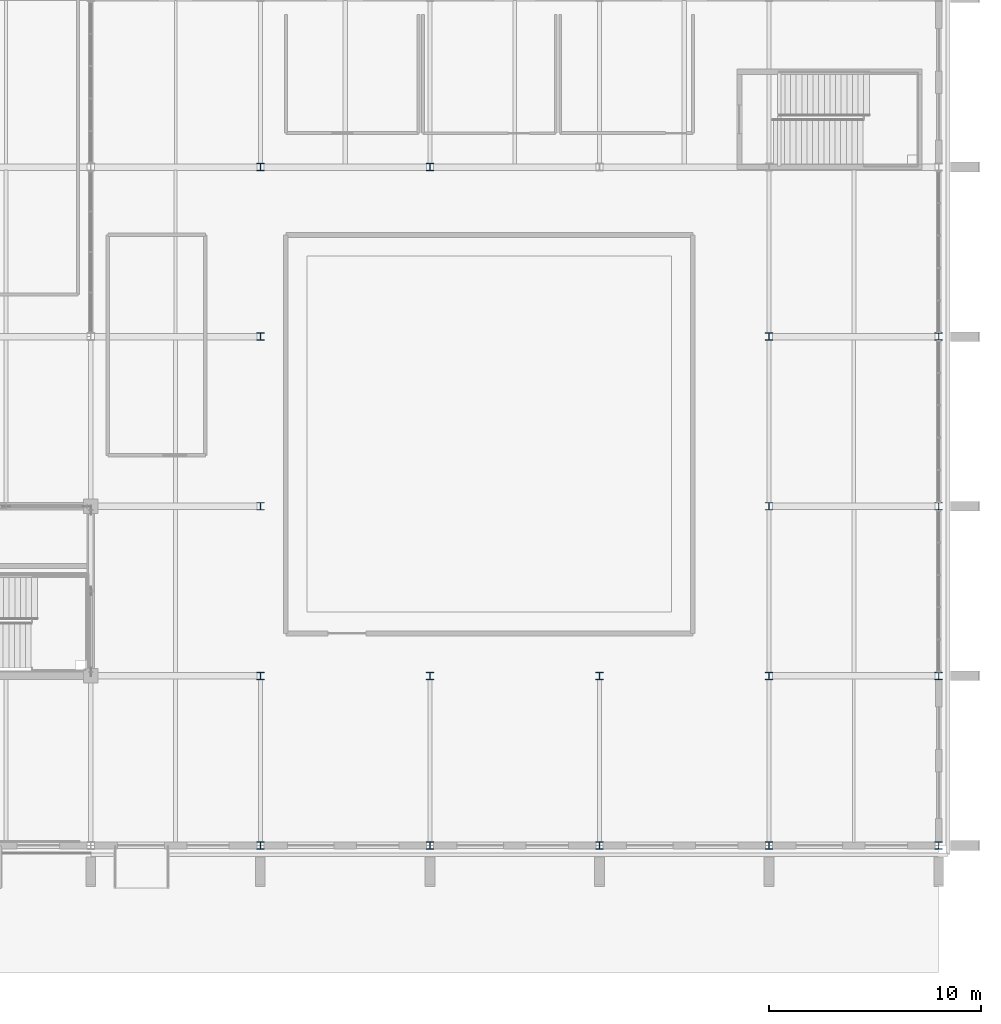
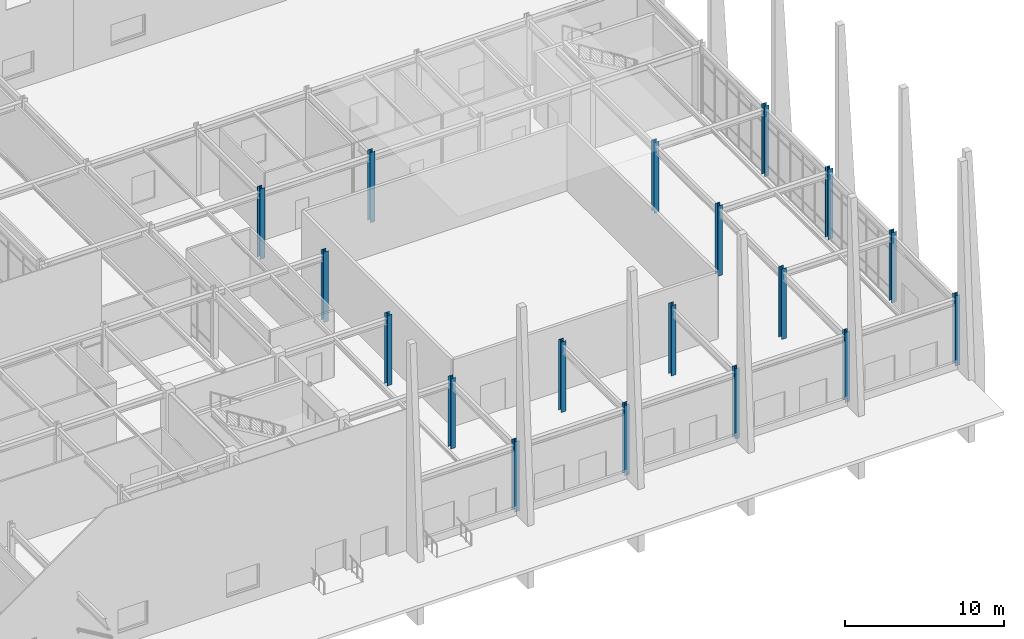
# One storey, part 17 of 119: 18 columns.
"""IFC4 building model written with IfcOpenShell, lengths in metres."""

from ifc_helpers import new_model, si_unit, direction, frame, origin, origin_2d, place, context, subcontext, project, spatial, i_section, extrude, material, material_profile, profile_set, type_object, element, save


model = new_model("IFC4")

# Units and contexts
model_context = context("Model", 3, precision=1e-05, world=origin(), true_north=direction((0.0, 1.0)))
body_context = subcontext(model_context, "Body", "Model", "MODEL_VIEW")
ifc_project = project(units=[si_unit("LENGTHUNIT", "METRE"), si_unit("AREAUNIT", "SQUARE_METRE"), si_unit("VOLUMEUNIT", "CUBIC_METRE"), si_unit("PLANEANGLEUNIT", "RADIAN"), si_unit("MASSUNIT", "GRAM", prefix="KILO")], contexts=[model_context])

# Site, building, storey
site_placement = place(None, origin())
site = spatial("IfcSite", under=ifc_project, at=site_placement, CompositionType="ELEMENT")
building_placement = place(site_placement, origin())
building = spatial("IfcBuilding", under=site, at=building_placement, Name="Zhaolan Boulevard Law Courts", CompositionType="ELEMENT")
storey_placement = place(building_placement, origin())
storey = spatial("IfcBuildingStorey", under=building, at=storey_placement, Name="L00", CompositionType="ELEMENT", Elevation=0.0)

# Columns
ifc_material = material(Name="Structural steel Q355B", Category="steel")
ifc_material_profile = material_profile(ifc_material, i_section(OverallWidth=0.35009765625, OverallDepth=0.35009765625, WebThickness=0.011962890625, FlangeThickness=0.01904296875, FilletRadius=0.02001953125, at=origin_2d()), Name="HW350x350")
ifc_profile_set = profile_set([ifc_material_profile], Name="Structural steel Q355B")
column_type = type_object("IfcColumnType", Name="COL HW350", PredefinedType="COLUMN", material=ifc_profile_set)
for number, where, z_axis, x_axis, name in (
    (1, (132.0, 6.0, 0.0), (0.0, 0.0, 1.0), (1.0, 0.0, 0.0), "Column C-17B (L00)"),
    (2, (132.0, 14.0, 0.0), (0.0, 0.0, 1.0), (1.0, 0.0, 0.0), "Column C-17C (L00)"),
    (3, (132.0, 22.0, 0.0), (0.0, 0.0, 1.0), (1.0, 0.0, 0.0), "Column C-17D (L00)"),
    (4, (132.0, 30.0, 0.0), (0.0, 0.0, 1.0), (1.0, 0.0, 0.0), "Column C-17E (L00)"),
    (5, (132.0, 38.0, 0.0), (0.0, 0.0, 1.0), (1.0, 0.0, 0.0), "Column C-17F (L00)"),
    (6, (140.0, 6.0, 0.0), (0.0, 0.0, 1.0), (1.0, 0.0, 0.0), "Column C-18B (L00)"),
    (7, (140.0, 14.0, 0.0), (0.0, 0.0, 1.0), (1.0, 0.0, 0.0), "Column C-18C (L00)"),
    (8, (140.0, 38.0, 0.0), (0.0, 0.0, 1.0), (1.0, 0.0, 0.0), "Column C-18F (L00)"),
    (9, (148.0, 6.0, 0.0), (0.0, 0.0, 1.0), (1.0, 0.0, 0.0), "Column C-19B (L00)"),
    (10, (148.0, 14.0, 0.0), (0.0, 0.0, 1.0), (1.0, 0.0, 0.0), "Column C-19C (L00)"),
    (11, (156.0, 6.0, 0.0), (0.0, 0.0, 1.0), (1.0, 0.0, 0.0), "Column C-20B (L00)"),
    (12, (156.0, 14.0, 0.0), (0.0, 0.0, 1.0), (1.0, 0.0, 0.0), "Column C-20C (L00)"),
    (13, (156.0, 22.0, 0.0), (0.0, 0.0, 1.0), (1.0, 0.0, 0.0), "Column C-20D (L00)"),
    (14, (156.0, 30.0, 0.0), (0.0, 0.0, 1.0), (1.0, 0.0, 0.0), "Column C-20E (L00)"),
    (15, (164.0, 6.0, 0.0), (0.0, 0.0, 1.0), (1.0, 0.0, 0.0), "Column C-21B (L00)"),
    (16, (164.0, 14.0, 0.0), (0.0, 0.0, 1.0), (1.0, 0.0, 0.0), "Column C-21C (L00)"),
    (17, (164.0, 22.0, 0.0), (0.0, 0.0, 1.0), (1.0, 0.0, 0.0), "Column C-21D (L00)"),
    (18, (164.0, 30.0, 0.0), (0.0, 0.0, 1.0), (1.0, 0.0, 0.0), "Column C-21E (L00)"),
):
    element("IfcColumn", number, at=place(storey_placement, frame(where, z_axis=z_axis, x_axis=x_axis)), inside=storey, type_object=column_type, Name=name, PredefinedType="COLUMN", context=body_context, shape_type="SweptSolid", body=[
        extrude(i_section(OverallWidth=0.35009765625, OverallDepth=0.35009765625, WebThickness=0.011962890625, FlangeThickness=0.01904296875, FilletRadius=0.02001953125, at=origin_2d()), origin(), (0.0, 0.0, 1.0), 5.39990234375),
    ])

save(model, "model.ifc")
